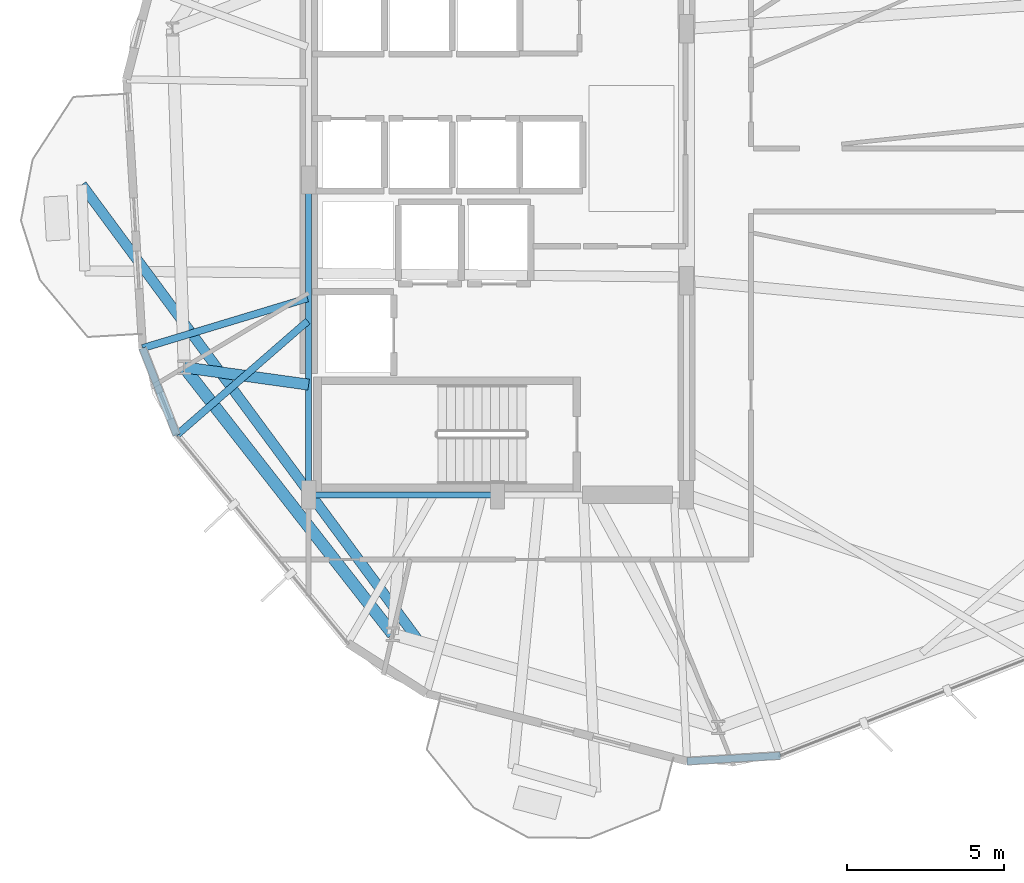
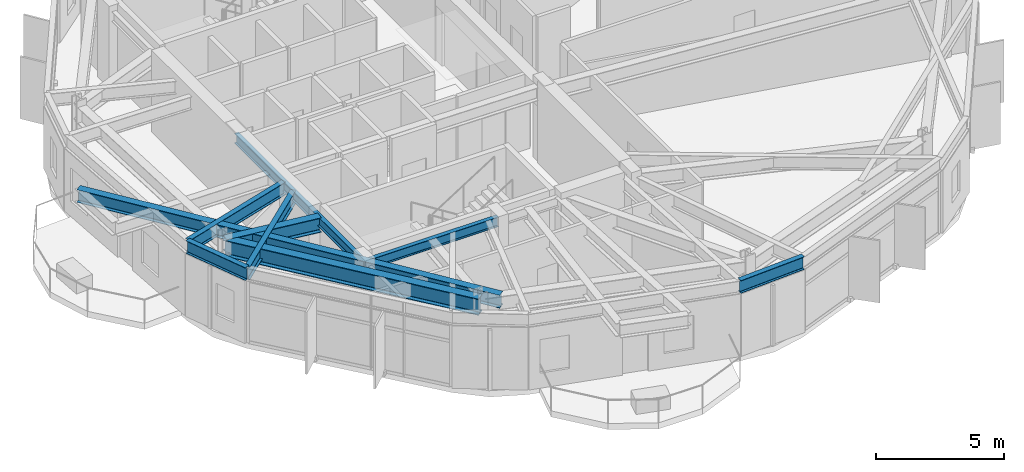
# One storey, part 3 of 22: 9 beams.
"""IFC4 building model written with IfcOpenShell, lengths in metres."""

from ifc_helpers import new_model, si_unit, direction, frame, origin, origin_2d, place, context, subcontext, project, spatial, i_section, extrude, material, material_profile, profile_set, type_object, element, save


model = new_model("IFC4")

# Units and contexts
model_context = context("Model", 3, precision=1e-05, world=origin(), true_north=direction((0.0, 1.0)))
body_context = subcontext(model_context, "Body", "Model", "MODEL_VIEW")
ifc_project = project(units=[si_unit("LENGTHUNIT", "METRE"), si_unit("AREAUNIT", "SQUARE_METRE"), si_unit("VOLUMEUNIT", "CUBIC_METRE"), si_unit("PLANEANGLEUNIT", "RADIAN"), si_unit("MASSUNIT", "GRAM", prefix="KILO")], contexts=[model_context])

# Site, building, storey
site_placement = place(None, origin())
site = spatial("IfcSite", under=ifc_project, at=site_placement, CompositionType="ELEMENT")
building_placement = place(site_placement, origin())
building = spatial("IfcBuilding", under=site, at=building_placement, Name="Soratama Intermodal Tower", CompositionType="ELEMENT")
storey_placement = place(building_placement, frame((0.0, 0.0, 110.800048828125)))
storey = spatial("IfcBuildingStorey", under=building, at=storey_placement, Name="L26", CompositionType="ELEMENT", Elevation=110.800048828125)

# Beams
ifc_material_1 = material(Name="Structural steel ASTM A992 Grade 50", Category="steel")
ifc_material_profile_1 = material_profile(ifc_material_1, i_section(OverallWidth=0.324951171875, OverallDepth=0.615966796875, WebThickness=0.013916015625, FlangeThickness=0.021484375, FilletRadius=0.013916015625, at=origin_2d()), Name="W24X117")
ifc_profile_set_1 = profile_set([ifc_material_profile_1], Name="Structural steel ASTM A992 Grade 50")
beam_type_1 = type_object("IfcBeamType", Name="BM-CANT-W24X117", PredefinedType="BEAM", material=ifc_profile_set_1)
beam_1_placement = place(storey_placement, frame((36.092041015625, 10.364013671875, 3.2919921875), z_axis=(-0.594052072336, 0.804426587921, 0.0), x_axis=(-0.804426587921, -0.594052072336, 0.0)))
element("IfcBeam", 1, at=beam_1_placement, inside=storey, type_object=beam_type_1, Name="BM-L26-CANT-2-1", PredefinedType="BEAM", context=body_context, shape_type="SweptSolid", body=[
    extrude(i_section(OverallWidth=0.324951171875, OverallDepth=0.615966796875, WebThickness=0.013916015625, FlangeThickness=0.021484375, FilletRadius=0.013916015625, at=origin_2d()), origin(), (0.0, 0.0, 1.0), 18.005126953125),
])
ifc_material_2 = material(Name="Structural steel ASTM A992 Grade 50", Category="steel")
ifc_material_profile_2 = material_profile(ifc_material_2, i_section(OverallWidth=0.19091796875, OverallDepth=0.4599609375, WebThickness=0.010009765625, FlangeThickness=0.01611328125, FilletRadius=0.010986328125, at=origin_2d()), Name="W18X55")
ifc_profile_set_2 = profile_set([ifc_material_profile_2], Name="Structural steel ASTM A992 Grade 50")
beam_type_2 = type_object("IfcBeamType", Name="BM-FLR-W18X55", PredefinedType="BEAM", material=ifc_profile_set_2)
beam_2_placement = place(storey_placement, frame((32.60009765625, 15.0, 3.369873046875), z_axis=(1.0, 0.0, 0.0), x_axis=(0.0, 1.0, 0.0)))
element("IfcBeam", 2, at=beam_2_placement, inside=storey, type_object=beam_type_2, Name="BM-L26-CRING-01", PredefinedType="BEAM", context=body_context, shape_type="SweptSolid", body=[
    extrude(i_section(OverallWidth=0.19091796875, OverallDepth=0.4599609375, WebThickness=0.010009765625, FlangeThickness=0.01611328125, FilletRadius=0.010986328125, at=origin_2d()), origin(), (0.0, 0.0, 1.0), 6.0),
])
beam_3_placement = place(storey_placement, frame((32.60009765625, 25.0, 3.369873046875), z_axis=(0.0, -1.0, 0.0), x_axis=(1.0, 0.0, 0.0)))
element("IfcBeam", 3, at=beam_3_placement, inside=storey, type_object=beam_type_2, Name="BM-L26-CRING-09", PredefinedType="BEAM", context=body_context, shape_type="SweptSolid", body=[
    extrude(i_section(OverallWidth=0.19091796875, OverallDepth=0.4599609375, WebThickness=0.010009765625, FlangeThickness=0.01611328125, FilletRadius=0.010986328125, at=origin_2d()), origin(), (0.0, 0.0, 1.0), 10.0),
])
ifc_material_3 = material(Name="Structural steel ASTM A992 Grade 50", Category="steel")
ifc_material_profile_3 = material_profile(ifc_material_3, i_section(OverallWidth=0.35498046875, OverallDepth=0.695068359375, WebThickness=0.015380859375, FlangeThickness=0.02490234375, FilletRadius=0.01611328125, at=origin_2d()), Name="W27X146")
ifc_profile_set_3 = profile_set([ifc_material_profile_3], Name="Structural steel ASTM A992 Grade 50")
beam_type_3 = type_object("IfcBeamType", Name="BM-RING-W27X146", PredefinedType="BEAM", material=ifc_profile_set_3)
beam_4_placement = place(storey_placement, frame((32.60009765625, 18.5, 3.25244140625), z_axis=(-0.990482077962, 0.137641756879, 0.0), x_axis=(-0.137641756879, -0.990482077962, 0.0)))
element("IfcBeam", 4, at=beam_4_placement, inside=storey, type_object=beam_type_3, Name="BM-L26-RAD-06", PredefinedType="BEAM", context=body_context, shape_type="SweptSolid", body=[
    extrude(i_section(OverallWidth=0.35498046875, OverallDepth=0.695068359375, WebThickness=0.015380859375, FlangeThickness=0.02490234375, FilletRadius=0.01611328125, at=origin_2d()), origin(), (0.0, 0.0, 1.0), 3.9892578125),
])
ifc_material_4 = material(Name="Structural steel ASTM A992 Grade 50", Category="steel")
ifc_material_profile_4 = material_profile(ifc_material_4, i_section(OverallWidth=0.382080078125, OverallDepth=0.779052734375, WebThickness=0.01806640625, FlangeThickness=0.030029296875, FilletRadius=0.01806640625, at=origin_2d()), Name="W30X191")
ifc_profile_set_4 = profile_set([ifc_material_profile_4], Name="Structural steel ASTM A992 Grade 50")
beam_type_4 = type_object("IfcBeamType", Name="BM-RING-W30X191", PredefinedType="BEAM", material=ifc_profile_set_4)
beam_5_placement = place(storey_placement, frame((28.64892578125, 19.049072265625, 3.21044921875), z_axis=(0.615683690883, -0.787993396407, 0.0), x_axis=(0.787993396407, 0.615683690883, 0.0)))
element("IfcBeam", 5, at=beam_5_placement, inside=storey, type_object=beam_type_4, Name="BM-L26-RING-06", PredefinedType="BEAM", context=body_context, shape_type="SweptSolid", body=[
    extrude(i_section(OverallWidth=0.382080078125, OverallDepth=0.779052734375, WebThickness=0.01806640625, FlangeThickness=0.030029296875, FilletRadius=0.01806640625, at=origin_2d()), origin(), (0.0, 0.0, 1.0), 10.754150390625),
])
ifc_material_5 = material(Name="Structural steel ASTM A992 Grade 50", Category="steel")
ifc_material_profile_5 = material_profile(ifc_material_5, i_section(OverallWidth=0.22900390625, OverallDepth=0.612060546875, WebThickness=0.011962890625, FlangeThickness=0.01953125, FilletRadius=0.012939453125, at=origin_2d()), Name="W24X84")
ifc_profile_set_5 = profile_set([ifc_material_profile_5], Name="Structural steel ASTM A992 Grade 50")
beam_type_5 = type_object("IfcBeamType", Name="BM-SPN-W24X84", PredefinedType="SPANDREL", material=ifc_profile_set_5)
beam_6_placement = place(storey_placement, frame((27.324951171875, 19.659912109375, 3.2939453125), z_axis=(0.365053964022, -0.930986360454, 0.0), x_axis=(0.930986360454, 0.365053964022, 0.0)))
element("IfcBeam", 6, at=beam_6_placement, inside=storey, type_object=beam_type_5, Name="BS-L26-CRN05", PredefinedType="SPANDREL", context=body_context, shape_type="SweptSolid", body=[
    extrude(i_section(OverallWidth=0.22900390625, OverallDepth=0.612060546875, WebThickness=0.011962890625, FlangeThickness=0.01953125, FilletRadius=0.012939453125, at=origin_2d()), origin(), (0.0, 0.0, 1.0), 2.966796875),
])
beam_7_placement = place(storey_placement, frame((44.616943359375, 6.5400390625, 3.2939453125), z_axis=(0.998219473234, 0.059647994568, 0.0), x_axis=(-0.059647994568, 0.998219473234, 0.0)))
element("IfcBeam", 7, at=beam_7_placement, inside=storey, type_object=beam_type_5, Name="BS-L26-CRN07", PredefinedType="SPANDREL", context=body_context, shape_type="SweptSolid", body=[
    extrude(i_section(OverallWidth=0.22900390625, OverallDepth=0.612060546875, WebThickness=0.011962890625, FlangeThickness=0.01953125, FilletRadius=0.012939453125, at=origin_2d()), origin(), (0.0, 0.0, 1.0), 2.967529296875),
])
ifc_material_6 = material(Name="Structural steel ASTM A992 Grade 50", Category="steel")
ifc_material_profile_6 = material_profile(ifc_material_6, i_section(OverallWidth=0.22900390625, OverallDepth=0.612060546875, WebThickness=0.011962890625, FlangeThickness=0.01953125, FilletRadius=0.012939453125, at=origin_2d()), Name="W24X84")
ifc_profile_set_6 = profile_set([ifc_material_profile_6], Name="Structural steel ASTM A992 Grade 50")
beam_type_6 = type_object("IfcBeamType", Name="BM-TIE-W24X84", PredefinedType="BEAM", material=ifc_profile_set_6)
beam_8_placement = place(storey_placement, frame((32.56201171875, 21.241943359375, 3.2939453125), z_axis=(-0.957275512435, -0.289177442571, 0.0), x_axis=(0.289177442571, -0.957275512435, 0.0)))
element("IfcBeam", 8, at=beam_8_placement, inside=storey, type_object=beam_type_6, Name="BM-L26-TIE1-05", PredefinedType="BEAM", context=body_context, shape_type="SweptSolid", body=[
    extrude(i_section(OverallWidth=0.22900390625, OverallDepth=0.612060546875, WebThickness=0.011962890625, FlangeThickness=0.01953125, FilletRadius=0.012939453125, at=origin_2d()), origin(), (0.0, 0.0, 1.0), 5.470703125),
])
beam_9_placement = place(storey_placement, frame((32.570068359375, 20.51904296875, 3.2939453125), z_axis=(-0.754437819187, -0.656371523591, 0.0), x_axis=(0.656371523591, -0.754437819187, 0.0)))
element("IfcBeam", 9, at=beam_9_placement, inside=storey, type_object=beam_type_6, Name="BM-L26-TIE0-06", PredefinedType="BEAM", context=body_context, shape_type="SweptSolid", body=[
    extrude(i_section(OverallWidth=0.22900390625, OverallDepth=0.612060546875, WebThickness=0.011962890625, FlangeThickness=0.01953125, FilletRadius=0.012939453125, at=origin_2d()), origin(), (0.0, 0.0, 1.0), 5.516845703125),
])

save(model, "model.ifc")
